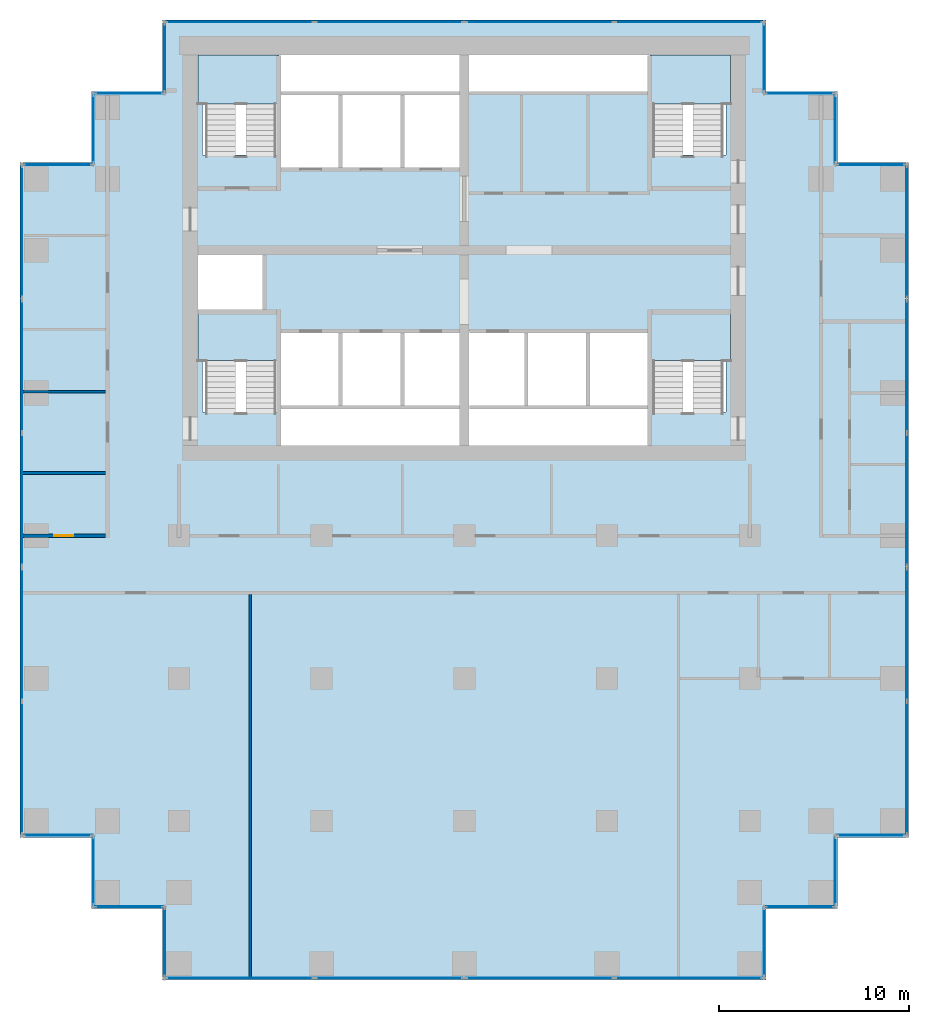
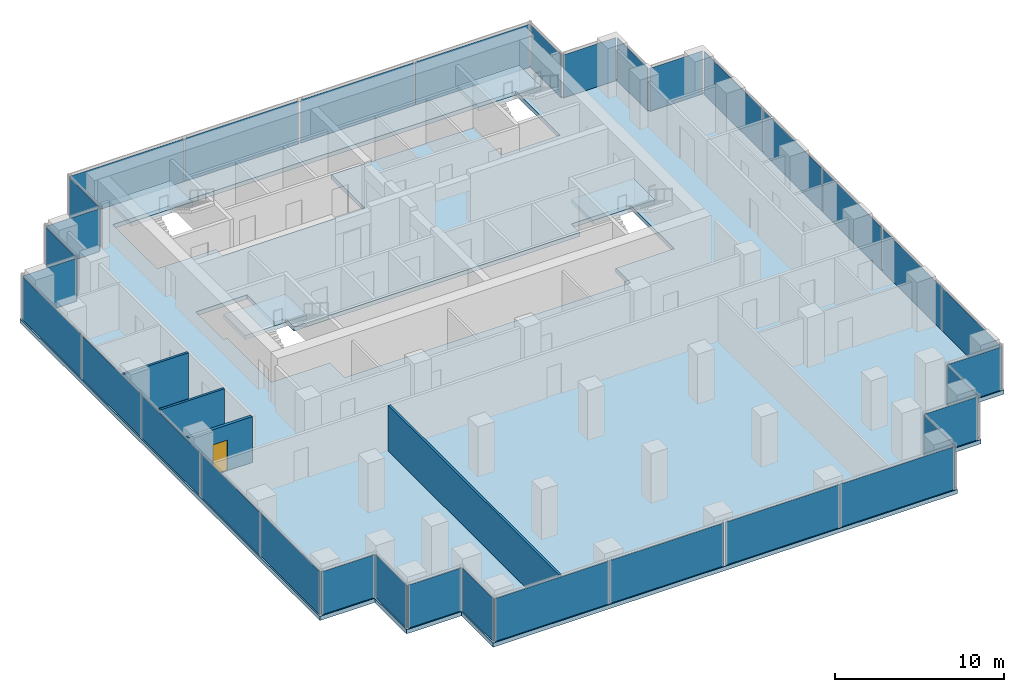
# One storey, part 6 of 10: 34 plates, 5 slabs, 4 walls, 1 door, 1 opening, 30 elements without a shape of their own.
"""IFC4 building model written with IfcOpenShell, lengths in metres."""

from ifc_helpers import new_model, si_unit, direction, frame, frame_2d, origin, origin_2d, place, context, subcontext, project, spatial, polyline, rectangle, outline, extrude, material, layer, layer_set, type_object, element, fill, aggregate, save


model = new_model("IFC4")

# Units and contexts
model_context = context("Model", 3, precision=1e-05, world=origin(), true_north=direction((0.0, 1.0)))
body_context = subcontext(model_context, "Body", "Model", "MODEL_VIEW")
ifc_project = project(units=[si_unit("LENGTHUNIT", "METRE"), si_unit("AREAUNIT", "SQUARE_METRE"), si_unit("VOLUMEUNIT", "CUBIC_METRE"), si_unit("PLANEANGLEUNIT", "RADIAN"), si_unit("MASSUNIT", "GRAM", prefix="KILO")], contexts=[model_context])

# Site, building, storey
site_placement = place(None, origin())
site = spatial("IfcSite", under=ifc_project, at=site_placement, CompositionType="ELEMENT")
building_placement = place(site_placement, origin())
building = spatial("IfcBuilding", under=site, at=building_placement, Name="Pilkhan Gate Tower", CompositionType="ELEMENT")
storey_placement = place(building_placement, frame((0.0, 0.0, 118.0)))
storey = spatial("IfcBuildingStorey", under=building, at=storey_placement, Name="L29", CompositionType="ELEMENT", Elevation=118.0)

# Slab
ifc_material_1 = material(Name="Concrete C40/50", Category="concrete")
ifc_layer_1 = layer(ifc_material_1, 0.300048828125)
ifc_layer_set_1 = layer_set([ifc_layer_1], Name="Flat plate slab FP300")
slab_type_1 = type_object("IfcSlabType", Name="Flat plate slab FP300", PredefinedType="FLOOR", material=ifc_layer_set_1)
slab_1_placement = place(storey_placement, frame((0.0, 0.0, -0.300048828125)))
element("IfcSlab", 1, at=slab_1_placement, inside=storey, type_object=slab_type_1, Name="Floor slab L29", PredefinedType="FLOOR", context=body_context, shape_type="SweptSolid", body=[
    extrude(outline(polyline([(94.60009765625, 47.89990234375), (90.85009765625, 47.89990234375), (90.85009765625, 44.14990234375), (59.14990234375, 44.14990234375), (59.14990234375, 47.89990234375), (55.39990234375, 47.89990234375), (55.39990234375, 51.64990234375), (51.64990234375, 51.64990234375), (51.64990234375, 87.10009765625), (55.39990234375, 87.10009765625), (55.39990234375, 90.85009765625), (59.14990234375, 90.85009765625), (59.14990234375, 94.60009765625), (90.85009765625, 94.60009765625), (90.85009765625, 90.85009765625), (94.60009765625, 90.85009765625), (94.60009765625, 87.10009765625), (98.35009765625, 87.10009765625), (98.35009765625, 51.64990234375), (94.60009765625, 51.64990234375), (94.60009765625, 47.89990234375)]), holes=[polyline([(65.25, 87.5), (65.25, 86.75), (68.5, 86.75), (71.75, 86.75), (75.0, 86.75), (75.0, 90.75), (84.75, 90.75), (84.75, 87.5), (88.75, 87.5), (88.75, 92.75), (84.75, 92.75), (75.0, 92.75), (65.25, 92.75), (61.25, 92.75), (61.25, 87.5), (65.25, 87.5)]), polyline([(75.0, 72.25), (84.75, 72.25), (84.75, 74.0), (88.75, 74.0), (88.75, 79.25), (84.75, 79.25), (84.75, 78.25), (81.5, 78.25), (78.25, 78.25), (75.0, 78.25), (71.75, 78.25), (68.5, 78.25), (65.25, 78.25), (65.25, 79.25), (64.5, 79.25), (64.5, 82.5), (61.25, 82.5), (61.0, 82.5), (61.0, 79.25), (61.25, 79.25), (61.25, 74.0), (65.25, 74.0), (65.25, 72.25), (75.0, 72.25)])]), origin(), (0.0, 0.0, 1.0), 0.300048828125),
])

# Curtain wall, plates
ifc_material_2 = material(Name="Pale anodised aluminium, clear low-iron double glazing", Category="aluminium")
curtain_wall_type = type_object("IfcCurtainWallType", Name="Office unitised curtain wall CW-O1", PredefinedType="USERDEFINED", material=ifc_material_2)
curtain_wall_1_placement = place(storey_placement, origin())
curtain_wall_1 = element("IfcCurtainWall", 2, at=curtain_wall_1_placement, inside=storey, type_object=curtain_wall_type, Name="Office unitised curtain wall CW-O1 L29 E", ObjectType="UNITISED CURTAIN WALL", PredefinedType="USERDEFINED")
ifc_material_3 = material(Name="Clear low-iron double glazing", Category="glass")
ifc_layer_2 = layer(ifc_material_3, 0.0400390625)
ifc_layer_set_2 = layer_set([ifc_layer_2], Name="Glass panel CW-O1 40")
plate_type = type_object("IfcPlateType", Name="Glass panel CW-O1 40", PredefinedType="CURTAIN_PANEL", material=ifc_layer_set_2)
plate_1_placement = place(storey_placement, frame((98.25, 55.29248046875, 0.0), z_axis=(0.0, 0.0, 1.0), x_axis=(0.0, 1.0, 0.0)))
plate_1 = element("IfcPlate", 3, at=plate_1_placement, type_object=plate_type, Name="CW-O1 panel 1", PredefinedType="CURTAIN_PANEL", context=body_context, shape_type="SweptSolid", body=[
    extrude(rectangle(XDim=6.945068359375, YDim=0.0400390625, at=origin_2d()), origin(), (0.0, 0.0, 1.0), 3.10009765625),
])
plate_2_placement = place(storey_placement, frame((98.25, 62.3076171875, 0.0), z_axis=(0.0, 0.0, 1.0), x_axis=(0.0, 1.0, 0.0)))
plate_2 = element("IfcPlate", 4, at=plate_2_placement, type_object=plate_type, Name="CW-O1 panel 2", PredefinedType="CURTAIN_PANEL", context=body_context, shape_type="SweptSolid", body=[
    extrude(rectangle(XDim=6.945068359375, YDim=0.0400390625, at=origin_2d()), origin(), (0.0, 0.0, 1.0), 3.10009765625),
])
aggregate(curtain_wall_1, [plate_1, plate_2])

curtain_wall_2_placement = place(storey_placement, origin())
curtain_wall_2 = element("IfcCurtainWall", 5, at=curtain_wall_2_placement, inside=storey, type_object=curtain_wall_type, Name="Office unitised curtain wall CW-O1 L29 E", ObjectType="UNITISED CURTAIN WALL", PredefinedType="USERDEFINED")
plate_3_placement = place(storey_placement, frame((98.25, 69.392578125, 0.0), z_axis=(0.0, 0.0, 1.0), x_axis=(0.0, 1.0, 0.0)))
plate_3 = element("IfcPlate", 6, at=plate_3_placement, type_object=plate_type, Name="CW-O1 panel 1", PredefinedType="CURTAIN_PANEL", context=body_context, shape_type="SweptSolid", body=[
    extrude(rectangle(XDim=6.945068359375, YDim=0.0400390625, at=origin_2d()), origin(), (0.0, 0.0, 1.0), 3.10009765625),
])
plate_4_placement = place(storey_placement, frame((98.25, 76.407470703125, 0.0), z_axis=(0.0, 0.0, 1.0), x_axis=(0.0, 1.0, 0.0)))
plate_4 = element("IfcPlate", 7, at=plate_4_placement, type_object=plate_type, Name="CW-O1 panel 2", PredefinedType="CURTAIN_PANEL", context=body_context, shape_type="SweptSolid", body=[
    extrude(rectangle(XDim=6.945068359375, YDim=0.0400390625, at=origin_2d()), origin(), (0.0, 0.0, 1.0), 3.10009765625),
])
aggregate(curtain_wall_2, [plate_3, plate_4])

# Curtain wall, plate
curtain_wall_3_placement = place(storey_placement, origin())
curtain_wall_3 = element("IfcCurtainWall", 8, at=curtain_wall_3_placement, inside=storey, type_object=curtain_wall_type, Name="Office unitised curtain wall CW-O1 L29 E", ObjectType="UNITISED CURTAIN WALL", PredefinedType="USERDEFINED")
plate_5_placement = place(storey_placement, frame((98.25, 83.47509765625, 0.0), z_axis=(0.0, 0.0, 1.0), x_axis=(0.0, 1.0, 0.0)))
plate_5 = element("IfcPlate", 9, at=plate_5_placement, type_object=plate_type, Name="CW-O1 panel 1", PredefinedType="CURTAIN_PANEL", context=body_context, shape_type="SweptSolid", body=[
    extrude(rectangle(XDim=6.909912109375, YDim=0.0400390625, at=origin_2d()), origin(), (0.0, 0.0, 1.0), 3.10009765625),
])
aggregate(curtain_wall_3, [plate_5])

curtain_wall_4_placement = place(storey_placement, origin())
curtain_wall_4 = element("IfcCurtainWall", 10, at=curtain_wall_4_placement, inside=storey, type_object=curtain_wall_type, Name="Office unitised curtain wall CW-O1 L29 N", ObjectType="UNITISED CURTAIN WALL", PredefinedType="USERDEFINED")
plate_6_placement = place(storey_placement, frame((96.375, 87.0, 0.0), z_axis=(0.0, 0.0, 1.0), x_axis=(1.0, 0.0, 0.0)))
plate_6 = element("IfcPlate", 11, at=plate_6_placement, type_object=plate_type, Name="CW-O1 panel 1", PredefinedType="CURTAIN_PANEL", context=body_context, shape_type="SweptSolid", body=[
    extrude(rectangle(XDim=3.610107421875, YDim=0.0400390625, at=origin_2d()), origin(), (0.0, 0.0, 1.0), 3.10009765625),
])
aggregate(curtain_wall_4, [plate_6])

curtain_wall_5_placement = place(storey_placement, origin())
curtain_wall_5 = element("IfcCurtainWall", 12, at=curtain_wall_5_placement, inside=storey, type_object=curtain_wall_type, Name="Office unitised curtain wall CW-O1 L29 E", ObjectType="UNITISED CURTAIN WALL", PredefinedType="USERDEFINED")
plate_7_placement = place(storey_placement, frame((94.5, 88.875, 0.0), z_axis=(0.0, 0.0, 1.0), x_axis=(0.0, 1.0, 0.0)))
plate_7 = element("IfcPlate", 13, at=plate_7_placement, type_object=plate_type, Name="CW-O1 panel 1", PredefinedType="CURTAIN_PANEL", context=body_context, shape_type="SweptSolid", body=[
    extrude(rectangle(XDim=3.610107421875, YDim=0.0400390625, at=origin_2d()), origin(), (0.0, 0.0, 1.0), 3.10009765625),
])
aggregate(curtain_wall_5, [plate_7])

curtain_wall_6_placement = place(storey_placement, origin())
curtain_wall_6 = element("IfcCurtainWall", 14, at=curtain_wall_6_placement, inside=storey, type_object=curtain_wall_type, Name="Office unitised curtain wall CW-O1 L29 N", ObjectType="UNITISED CURTAIN WALL", PredefinedType="USERDEFINED")
plate_8_placement = place(storey_placement, frame((92.625, 90.75, 0.0), z_axis=(0.0, 0.0, 1.0), x_axis=(1.0, 0.0, 0.0)))
plate_8 = element("IfcPlate", 15, at=plate_8_placement, type_object=plate_type, Name="CW-O1 panel 1", PredefinedType="CURTAIN_PANEL", context=body_context, shape_type="SweptSolid", body=[
    extrude(rectangle(XDim=3.610107421875, YDim=0.0400390625, at=origin_2d()), origin(), (0.0, 0.0, 1.0), 3.10009765625),
])
aggregate(curtain_wall_6, [plate_8])

curtain_wall_7_placement = place(storey_placement, origin())
curtain_wall_7 = element("IfcCurtainWall", 16, at=curtain_wall_7_placement, inside=storey, type_object=curtain_wall_type, Name="Office unitised curtain wall CW-O1 L29 E", ObjectType="UNITISED CURTAIN WALL", PredefinedType="USERDEFINED")
plate_9_placement = place(storey_placement, frame((90.75, 92.625, 0.0), z_axis=(0.0, 0.0, 1.0), x_axis=(0.0, 1.0, 0.0)))
plate_9 = element("IfcPlate", 17, at=plate_9_placement, type_object=plate_type, Name="CW-O1 panel 1", PredefinedType="CURTAIN_PANEL", context=body_context, shape_type="SweptSolid", body=[
    extrude(rectangle(XDim=3.610107421875, YDim=0.0400390625, at=origin_2d()), origin(), (0.0, 0.0, 1.0), 3.10009765625),
])
aggregate(curtain_wall_7, [plate_9])

# Curtain wall, plates
curtain_wall_8_placement = place(storey_placement, origin())
curtain_wall_8 = element("IfcCurtainWall", 18, at=curtain_wall_8_placement, inside=storey, type_object=curtain_wall_type, Name="Office unitised curtain wall CW-O1 L29 N", ObjectType="UNITISED CURTAIN WALL", PredefinedType="USERDEFINED")
plate_10_placement = place(storey_placement, frame((63.205078125, 94.5, 0.0), z_axis=(0.0, 0.0, 1.0), x_axis=(1.0, 0.0, 0.0)))
plate_10 = element("IfcPlate", 19, at=plate_10_placement, type_object=plate_type, Name="CW-O1 panel 1", PredefinedType="CURTAIN_PANEL", context=body_context, shape_type="SweptSolid", body=[
    extrude(rectangle(XDim=7.77001953125, YDim=0.0400390625, at=origin_2d()), origin(), (0.0, 0.0, 1.0), 3.10009765625),
])
plate_11_placement = place(storey_placement, frame((71.044921875, 94.5, 0.0), z_axis=(0.0, 0.0, 1.0), x_axis=(1.0, 0.0, 0.0)))
plate_11 = element("IfcPlate", 20, at=plate_11_placement, type_object=plate_type, Name="CW-O1 panel 2", PredefinedType="CURTAIN_PANEL", context=body_context, shape_type="SweptSolid", body=[
    extrude(rectangle(XDim=7.77001953125, YDim=0.0400390625, at=origin_2d()), origin(), (0.0, 0.0, 1.0), 3.10009765625),
])
aggregate(curtain_wall_8, [plate_10, plate_11])

curtain_wall_9_placement = place(storey_placement, origin())
curtain_wall_9 = element("IfcCurtainWall", 21, at=curtain_wall_9_placement, inside=storey, type_object=curtain_wall_type, Name="Office unitised curtain wall CW-O1 L29 N", ObjectType="UNITISED CURTAIN WALL", PredefinedType="USERDEFINED")
plate_12_placement = place(storey_placement, frame((78.955078125, 94.5, 0.0), z_axis=(0.0, 0.0, 1.0), x_axis=(1.0, 0.0, 0.0)))
plate_12 = element("IfcPlate", 22, at=plate_12_placement, type_object=plate_type, Name="CW-O1 panel 1", PredefinedType="CURTAIN_PANEL", context=body_context, shape_type="SweptSolid", body=[
    extrude(rectangle(XDim=7.77001953125, YDim=0.0400390625, at=origin_2d()), origin(), (0.0, 0.0, 1.0), 3.10009765625),
])
plate_13_placement = place(storey_placement, frame((86.794921875, 94.5, 0.0), z_axis=(0.0, 0.0, 1.0), x_axis=(1.0, 0.0, 0.0)))
plate_13 = element("IfcPlate", 23, at=plate_13_placement, type_object=plate_type, Name="CW-O1 panel 2", PredefinedType="CURTAIN_PANEL", context=body_context, shape_type="SweptSolid", body=[
    extrude(rectangle(XDim=7.77001953125, YDim=0.0400390625, at=origin_2d()), origin(), (0.0, 0.0, 1.0), 3.10009765625),
])
aggregate(curtain_wall_9, [plate_12, plate_13])

# Curtain wall, plate
curtain_wall_10_placement = place(storey_placement, origin())
curtain_wall_10 = element("IfcCurtainWall", 24, at=curtain_wall_10_placement, inside=storey, type_object=curtain_wall_type, Name="Office unitised curtain wall CW-O1 L29 W", ObjectType="UNITISED CURTAIN WALL", PredefinedType="USERDEFINED")
plate_14_placement = place(storey_placement, frame((59.25, 92.625, 0.0), z_axis=(0.0, 0.0, 1.0), x_axis=(0.0, 1.0, 0.0)))
plate_14 = element("IfcPlate", 25, at=plate_14_placement, type_object=plate_type, Name="CW-O1 panel 1", PredefinedType="CURTAIN_PANEL", context=body_context, shape_type="SweptSolid", body=[
    extrude(rectangle(XDim=3.610107421875, YDim=0.0400390625, at=origin_2d()), origin(), (0.0, 0.0, 1.0), 3.10009765625),
])
aggregate(curtain_wall_10, [plate_14])

curtain_wall_11_placement = place(storey_placement, origin())
curtain_wall_11 = element("IfcCurtainWall", 26, at=curtain_wall_11_placement, inside=storey, type_object=curtain_wall_type, Name="Office unitised curtain wall CW-O1 L29 N", ObjectType="UNITISED CURTAIN WALL", PredefinedType="USERDEFINED")
plate_15_placement = place(storey_placement, frame((57.375, 90.75, 0.0), z_axis=(0.0, 0.0, 1.0), x_axis=(1.0, 0.0, 0.0)))
plate_15 = element("IfcPlate", 27, at=plate_15_placement, type_object=plate_type, Name="CW-O1 panel 1", PredefinedType="CURTAIN_PANEL", context=body_context, shape_type="SweptSolid", body=[
    extrude(rectangle(XDim=3.610107421875, YDim=0.0400390625, at=origin_2d()), origin(), (0.0, 0.0, 1.0), 3.10009765625),
])
aggregate(curtain_wall_11, [plate_15])

curtain_wall_12_placement = place(storey_placement, origin())
curtain_wall_12 = element("IfcCurtainWall", 28, at=curtain_wall_12_placement, inside=storey, type_object=curtain_wall_type, Name="Office unitised curtain wall CW-O1 L29 W", ObjectType="UNITISED CURTAIN WALL", PredefinedType="USERDEFINED")
plate_16_placement = place(storey_placement, frame((55.5, 88.875, 0.0), z_axis=(0.0, 0.0, 1.0), x_axis=(0.0, 1.0, 0.0)))
plate_16 = element("IfcPlate", 29, at=plate_16_placement, type_object=plate_type, Name="CW-O1 panel 1", PredefinedType="CURTAIN_PANEL", context=body_context, shape_type="SweptSolid", body=[
    extrude(rectangle(XDim=3.610107421875, YDim=0.0400390625, at=origin_2d()), origin(), (0.0, 0.0, 1.0), 3.10009765625),
])
aggregate(curtain_wall_12, [plate_16])

curtain_wall_13_placement = place(storey_placement, origin())
curtain_wall_13 = element("IfcCurtainWall", 30, at=curtain_wall_13_placement, inside=storey, type_object=curtain_wall_type, Name="Office unitised curtain wall CW-O1 L29 N", ObjectType="UNITISED CURTAIN WALL", PredefinedType="USERDEFINED")
plate_17_placement = place(storey_placement, frame((53.625, 87.0, 0.0), z_axis=(0.0, 0.0, 1.0), x_axis=(1.0, 0.0, 0.0)))
plate_17 = element("IfcPlate", 31, at=plate_17_placement, type_object=plate_type, Name="CW-O1 panel 1", PredefinedType="CURTAIN_PANEL", context=body_context, shape_type="SweptSolid", body=[
    extrude(rectangle(XDim=3.610107421875, YDim=0.0400390625, at=origin_2d()), origin(), (0.0, 0.0, 1.0), 3.10009765625),
])
aggregate(curtain_wall_13, [plate_17])

# Curtain wall, plates
curtain_wall_14_placement = place(storey_placement, origin())
curtain_wall_14 = element("IfcCurtainWall", 32, at=curtain_wall_14_placement, inside=storey, type_object=curtain_wall_type, Name="Office unitised curtain wall CW-O1 L29 W", ObjectType="UNITISED CURTAIN WALL", PredefinedType="USERDEFINED")
plate_18_placement = place(storey_placement, frame((51.75, 55.29248046875, 0.0), z_axis=(0.0, 0.0, 1.0), x_axis=(0.0, 1.0, 0.0)))
plate_18 = element("IfcPlate", 33, at=plate_18_placement, type_object=plate_type, Name="CW-O1 panel 1", PredefinedType="CURTAIN_PANEL", context=body_context, shape_type="SweptSolid", body=[
    extrude(rectangle(XDim=6.945068359375, YDim=0.0400390625, at=origin_2d()), origin(), (0.0, 0.0, 1.0), 3.10009765625),
])
plate_19_placement = place(storey_placement, frame((51.75, 62.3076171875, 0.0), z_axis=(0.0, 0.0, 1.0), x_axis=(0.0, 1.0, 0.0)))
plate_19 = element("IfcPlate", 34, at=plate_19_placement, type_object=plate_type, Name="CW-O1 panel 2", PredefinedType="CURTAIN_PANEL", context=body_context, shape_type="SweptSolid", body=[
    extrude(rectangle(XDim=6.945068359375, YDim=0.0400390625, at=origin_2d()), origin(), (0.0, 0.0, 1.0), 3.10009765625),
])
aggregate(curtain_wall_14, [plate_18, plate_19])

curtain_wall_15_placement = place(storey_placement, origin())
curtain_wall_15 = element("IfcCurtainWall", 35, at=curtain_wall_15_placement, inside=storey, type_object=curtain_wall_type, Name="Office unitised curtain wall CW-O1 L29 W", ObjectType="UNITISED CURTAIN WALL", PredefinedType="USERDEFINED")
plate_20_placement = place(storey_placement, frame((51.75, 69.392578125, 0.0), z_axis=(0.0, 0.0, 1.0), x_axis=(0.0, 1.0, 0.0)))
plate_20 = element("IfcPlate", 36, at=plate_20_placement, type_object=plate_type, Name="CW-O1 panel 1", PredefinedType="CURTAIN_PANEL", context=body_context, shape_type="SweptSolid", body=[
    extrude(rectangle(XDim=6.945068359375, YDim=0.0400390625, at=origin_2d()), origin(), (0.0, 0.0, 1.0), 3.10009765625),
])
plate_21_placement = place(storey_placement, frame((51.75, 76.407470703125, 0.0), z_axis=(0.0, 0.0, 1.0), x_axis=(0.0, 1.0, 0.0)))
plate_21 = element("IfcPlate", 37, at=plate_21_placement, type_object=plate_type, Name="CW-O1 panel 2", PredefinedType="CURTAIN_PANEL", context=body_context, shape_type="SweptSolid", body=[
    extrude(rectangle(XDim=6.945068359375, YDim=0.0400390625, at=origin_2d()), origin(), (0.0, 0.0, 1.0), 3.10009765625),
])
aggregate(curtain_wall_15, [plate_20, plate_21])

# Curtain wall, plate
curtain_wall_16_placement = place(storey_placement, origin())
curtain_wall_16 = element("IfcCurtainWall", 38, at=curtain_wall_16_placement, inside=storey, type_object=curtain_wall_type, Name="Office unitised curtain wall CW-O1 L29 W", ObjectType="UNITISED CURTAIN WALL", PredefinedType="USERDEFINED")
plate_22_placement = place(storey_placement, frame((51.75, 83.47509765625, 0.0), z_axis=(0.0, 0.0, 1.0), x_axis=(0.0, 1.0, 0.0)))
plate_22 = element("IfcPlate", 39, at=plate_22_placement, type_object=plate_type, Name="CW-O1 panel 1", PredefinedType="CURTAIN_PANEL", context=body_context, shape_type="SweptSolid", body=[
    extrude(rectangle(XDim=6.909912109375, YDim=0.0400390625, at=origin_2d()), origin(), (0.0, 0.0, 1.0), 3.10009765625),
])
aggregate(curtain_wall_16, [plate_22])

curtain_wall_17_placement = place(storey_placement, origin())
curtain_wall_17 = element("IfcCurtainWall", 40, at=curtain_wall_17_placement, inside=storey, type_object=curtain_wall_type, Name="Office unitised curtain wall CW-O1 L29 S", ObjectType="UNITISED CURTAIN WALL", PredefinedType="USERDEFINED")
plate_23_placement = place(storey_placement, frame((53.625, 51.75, 0.0), z_axis=(0.0, 0.0, 1.0), x_axis=(1.0, 0.0, 0.0)))
plate_23 = element("IfcPlate", 41, at=plate_23_placement, type_object=plate_type, Name="CW-O1 panel 1", PredefinedType="CURTAIN_PANEL", context=body_context, shape_type="SweptSolid", body=[
    extrude(rectangle(XDim=3.610107421875, YDim=0.0400390625, at=origin_2d()), origin(), (0.0, 0.0, 1.0), 3.10009765625),
])
aggregate(curtain_wall_17, [plate_23])

curtain_wall_18_placement = place(storey_placement, origin())
curtain_wall_18 = element("IfcCurtainWall", 42, at=curtain_wall_18_placement, inside=storey, type_object=curtain_wall_type, Name="Office unitised curtain wall CW-O1 L29 W", ObjectType="UNITISED CURTAIN WALL", PredefinedType="USERDEFINED")
plate_24_placement = place(storey_placement, frame((55.5, 49.875, 0.0), z_axis=(0.0, 0.0, 1.0), x_axis=(0.0, 1.0, 0.0)))
plate_24 = element("IfcPlate", 43, at=plate_24_placement, type_object=plate_type, Name="CW-O1 panel 1", PredefinedType="CURTAIN_PANEL", context=body_context, shape_type="SweptSolid", body=[
    extrude(rectangle(XDim=3.610107421875, YDim=0.0400390625, at=origin_2d()), origin(), (0.0, 0.0, 1.0), 3.10009765625),
])
aggregate(curtain_wall_18, [plate_24])

curtain_wall_19_placement = place(storey_placement, origin())
curtain_wall_19 = element("IfcCurtainWall", 44, at=curtain_wall_19_placement, inside=storey, type_object=curtain_wall_type, Name="Office unitised curtain wall CW-O1 L29 S", ObjectType="UNITISED CURTAIN WALL", PredefinedType="USERDEFINED")
plate_25_placement = place(storey_placement, frame((57.375, 48.0, 0.0), z_axis=(0.0, 0.0, 1.0), x_axis=(1.0, 0.0, 0.0)))
plate_25 = element("IfcPlate", 45, at=plate_25_placement, type_object=plate_type, Name="CW-O1 panel 1", PredefinedType="CURTAIN_PANEL", context=body_context, shape_type="SweptSolid", body=[
    extrude(rectangle(XDim=3.610107421875, YDim=0.0400390625, at=origin_2d()), origin(), (0.0, 0.0, 1.0), 3.10009765625),
])
aggregate(curtain_wall_19, [plate_25])

curtain_wall_20_placement = place(storey_placement, origin())
curtain_wall_20 = element("IfcCurtainWall", 46, at=curtain_wall_20_placement, inside=storey, type_object=curtain_wall_type, Name="Office unitised curtain wall CW-O1 L29 W", ObjectType="UNITISED CURTAIN WALL", PredefinedType="USERDEFINED")
plate_26_placement = place(storey_placement, frame((59.25, 46.125, 0.0), z_axis=(0.0, 0.0, 1.0), x_axis=(0.0, 1.0, 0.0)))
plate_26 = element("IfcPlate", 47, at=plate_26_placement, type_object=plate_type, Name="CW-O1 panel 1", PredefinedType="CURTAIN_PANEL", context=body_context, shape_type="SweptSolid", body=[
    extrude(rectangle(XDim=3.610107421875, YDim=0.0400390625, at=origin_2d()), origin(), (0.0, 0.0, 1.0), 3.10009765625),
])
aggregate(curtain_wall_20, [plate_26])

# Curtain wall, plates
curtain_wall_21_placement = place(storey_placement, origin())
curtain_wall_21 = element("IfcCurtainWall", 48, at=curtain_wall_21_placement, inside=storey, type_object=curtain_wall_type, Name="Office unitised curtain wall CW-O1 L29 S", ObjectType="UNITISED CURTAIN WALL", PredefinedType="USERDEFINED")
plate_27_placement = place(storey_placement, frame((63.205078125, 44.25, 0.0), z_axis=(0.0, 0.0, 1.0), x_axis=(1.0, 0.0, 0.0)))
plate_27 = element("IfcPlate", 49, at=plate_27_placement, type_object=plate_type, Name="CW-O1 panel 1", PredefinedType="CURTAIN_PANEL", context=body_context, shape_type="SweptSolid", body=[
    extrude(rectangle(XDim=7.77001953125, YDim=0.0400390625, at=origin_2d()), origin(), (0.0, 0.0, 1.0), 3.10009765625),
])
plate_28_placement = place(storey_placement, frame((71.044921875, 44.25, 0.0), z_axis=(0.0, 0.0, 1.0), x_axis=(1.0, 0.0, 0.0)))
plate_28 = element("IfcPlate", 50, at=plate_28_placement, type_object=plate_type, Name="CW-O1 panel 2", PredefinedType="CURTAIN_PANEL", context=body_context, shape_type="SweptSolid", body=[
    extrude(rectangle(XDim=7.77001953125, YDim=0.0400390625, at=origin_2d()), origin(), (0.0, 0.0, 1.0), 3.10009765625),
])
aggregate(curtain_wall_21, [plate_27, plate_28])

curtain_wall_22_placement = place(storey_placement, origin())
curtain_wall_22 = element("IfcCurtainWall", 51, at=curtain_wall_22_placement, inside=storey, type_object=curtain_wall_type, Name="Office unitised curtain wall CW-O1 L29 S", ObjectType="UNITISED CURTAIN WALL", PredefinedType="USERDEFINED")
plate_29_placement = place(storey_placement, frame((78.955078125, 44.25, 0.0), z_axis=(0.0, 0.0, 1.0), x_axis=(1.0, 0.0, 0.0)))
plate_29 = element("IfcPlate", 52, at=plate_29_placement, type_object=plate_type, Name="CW-O1 panel 1", PredefinedType="CURTAIN_PANEL", context=body_context, shape_type="SweptSolid", body=[
    extrude(rectangle(XDim=7.77001953125, YDim=0.0400390625, at=origin_2d()), origin(), (0.0, 0.0, 1.0), 3.10009765625),
])
plate_30_placement = place(storey_placement, frame((86.794921875, 44.25, 0.0), z_axis=(0.0, 0.0, 1.0), x_axis=(1.0, 0.0, 0.0)))
plate_30 = element("IfcPlate", 53, at=plate_30_placement, type_object=plate_type, Name="CW-O1 panel 2", PredefinedType="CURTAIN_PANEL", context=body_context, shape_type="SweptSolid", body=[
    extrude(rectangle(XDim=7.77001953125, YDim=0.0400390625, at=origin_2d()), origin(), (0.0, 0.0, 1.0), 3.10009765625),
])
aggregate(curtain_wall_22, [plate_29, plate_30])

# Curtain wall, plate
curtain_wall_23_placement = place(storey_placement, origin())
curtain_wall_23 = element("IfcCurtainWall", 54, at=curtain_wall_23_placement, inside=storey, type_object=curtain_wall_type, Name="Office unitised curtain wall CW-O1 L29 E", ObjectType="UNITISED CURTAIN WALL", PredefinedType="USERDEFINED")
plate_31_placement = place(storey_placement, frame((90.75, 46.125, 0.0), z_axis=(0.0, 0.0, 1.0), x_axis=(0.0, 1.0, 0.0)))
plate_31 = element("IfcPlate", 55, at=plate_31_placement, type_object=plate_type, Name="CW-O1 panel 1", PredefinedType="CURTAIN_PANEL", context=body_context, shape_type="SweptSolid", body=[
    extrude(rectangle(XDim=3.610107421875, YDim=0.0400390625, at=origin_2d()), origin(), (0.0, 0.0, 1.0), 3.10009765625),
])
aggregate(curtain_wall_23, [plate_31])

curtain_wall_24_placement = place(storey_placement, origin())
curtain_wall_24 = element("IfcCurtainWall", 56, at=curtain_wall_24_placement, inside=storey, type_object=curtain_wall_type, Name="Office unitised curtain wall CW-O1 L29 S", ObjectType="UNITISED CURTAIN WALL", PredefinedType="USERDEFINED")
plate_32_placement = place(storey_placement, frame((92.625, 48.0, 0.0), z_axis=(0.0, 0.0, 1.0), x_axis=(1.0, 0.0, 0.0)))
plate_32 = element("IfcPlate", 57, at=plate_32_placement, type_object=plate_type, Name="CW-O1 panel 1", PredefinedType="CURTAIN_PANEL", context=body_context, shape_type="SweptSolid", body=[
    extrude(rectangle(XDim=3.610107421875, YDim=0.0400390625, at=origin_2d()), origin(), (0.0, 0.0, 1.0), 3.10009765625),
])
aggregate(curtain_wall_24, [plate_32])

curtain_wall_25_placement = place(storey_placement, origin())
curtain_wall_25 = element("IfcCurtainWall", 58, at=curtain_wall_25_placement, inside=storey, type_object=curtain_wall_type, Name="Office unitised curtain wall CW-O1 L29 E", ObjectType="UNITISED CURTAIN WALL", PredefinedType="USERDEFINED")
plate_33_placement = place(storey_placement, frame((94.5, 49.875, 0.0), z_axis=(0.0, 0.0, 1.0), x_axis=(0.0, 1.0, 0.0)))
plate_33 = element("IfcPlate", 59, at=plate_33_placement, type_object=plate_type, Name="CW-O1 panel 1", PredefinedType="CURTAIN_PANEL", context=body_context, shape_type="SweptSolid", body=[
    extrude(rectangle(XDim=3.610107421875, YDim=0.0400390625, at=origin_2d()), origin(), (0.0, 0.0, 1.0), 3.10009765625),
])
aggregate(curtain_wall_25, [plate_33])

curtain_wall_26_placement = place(storey_placement, origin())
curtain_wall_26 = element("IfcCurtainWall", 60, at=curtain_wall_26_placement, inside=storey, type_object=curtain_wall_type, Name="Office unitised curtain wall CW-O1 L29 S", ObjectType="UNITISED CURTAIN WALL", PredefinedType="USERDEFINED")
plate_34_placement = place(storey_placement, frame((96.375, 51.75, 0.0), z_axis=(0.0, 0.0, 1.0), x_axis=(1.0, 0.0, 0.0)))
plate_34 = element("IfcPlate", 61, at=plate_34_placement, type_object=plate_type, Name="CW-O1 panel 1", PredefinedType="CURTAIN_PANEL", context=body_context, shape_type="SweptSolid", body=[
    extrude(rectangle(XDim=3.610107421875, YDim=0.0400390625, at=origin_2d()), origin(), (0.0, 0.0, 1.0), 3.10009765625),
])
aggregate(curtain_wall_26, [plate_34])

# Stair, slab
ifc_material_4 = material(Name="Concrete C40/50 precast", Category="concrete")
stair_type_1 = type_object("IfcStairType", Name="Stair ST1 164x280", PredefinedType="HALF_TURN_STAIR", material=ifc_material_4)
stair_1_placement = place(storey_placement, origin())
stair_1 = element("IfcStair", 62, at=stair_1_placement, inside=storey, type_object=stair_type_1, Name="Stair ST1 L29", PredefinedType="HALF_TURN_STAIR")
ifc_layer_3 = layer(ifc_material_1, 0.199951171875)
ifc_layer_set_3 = layer_set([ifc_layer_3], Name="Stair landing SL200")
slab_type_2 = type_object("IfcSlabType", Name="Stair landing SL200", PredefinedType="LANDING", material=ifc_layer_set_3)
slab_2_placement = place(storey_placement, frame((0.0, 0.0, 1.5)))
slab_2 = element("IfcSlab", 63, at=slab_2_placement, type_object=slab_type_2, Name="ST1 landing 1", PredefinedType="LANDING", context=body_context, shape_type="SweptSolid", body=[
    extrude(outline(polyline([(89.0, 76.699951171875), (89.0, 79.25), (84.75, 79.25), (84.75, 76.699951171875), (89.0, 76.699951171875)])), origin(), (0.0, 0.0, 1.0), 0.300048828125),
])
aggregate(stair_1, [slab_2])

stair_type_2 = type_object("IfcStairType", Name="Stair ST2 164x280", PredefinedType="HALF_TURN_STAIR", material=ifc_material_4)
stair_2_placement = place(storey_placement, origin())
stair_2 = element("IfcStair", 64, at=stair_2_placement, inside=storey, type_object=stair_type_2, Name="Stair ST2 L29", PredefinedType="HALF_TURN_STAIR")
slab_3_placement = place(storey_placement, frame((0.0, 0.0, 1.5)))
slab_3 = element("IfcSlab", 65, at=slab_3_placement, type_object=slab_type_2, Name="ST2 landing 1", PredefinedType="LANDING", context=body_context, shape_type="SweptSolid", body=[
    extrude(outline(polyline([(65.25, 76.699951171875), (65.25, 79.25), (61.0, 79.25), (61.0, 76.699951171875), (65.25, 76.699951171875)])), origin(), (0.0, 0.0, 1.0), 0.300048828125),
])
aggregate(stair_2, [slab_3])

stair_type_3 = type_object("IfcStairType", Name="Stair ST3 164x280", PredefinedType="HALF_TURN_STAIR", material=ifc_material_4)
stair_3_placement = place(storey_placement, origin())
stair_3 = element("IfcStair", 66, at=stair_3_placement, inside=storey, type_object=stair_type_3, Name="Stair ST3 L29", PredefinedType="HALF_TURN_STAIR")
slab_4_placement = place(storey_placement, frame((0.0, 0.0, 1.5)))
slab_4 = element("IfcSlab", 67, at=slab_4_placement, type_object=slab_type_2, Name="ST3 landing 1", PredefinedType="LANDING", context=body_context, shape_type="SweptSolid", body=[
    extrude(outline(polyline([(65.25, 90.199951171875), (65.25, 92.75), (61.0, 92.75), (61.0, 90.199951171875), (65.25, 90.199951171875)])), origin(), (0.0, 0.0, 1.0), 0.300048828125),
])
aggregate(stair_3, [slab_4])

stair_type_4 = type_object("IfcStairType", Name="Stair ST4 164x280", PredefinedType="HALF_TURN_STAIR", material=ifc_material_4)
stair_4_placement = place(storey_placement, origin())
stair_4 = element("IfcStair", 68, at=stair_4_placement, inside=storey, type_object=stair_type_4, Name="Stair ST4 L29", PredefinedType="HALF_TURN_STAIR")
slab_5_placement = place(storey_placement, frame((0.0, 0.0, 1.5)))
slab_5 = element("IfcSlab", 69, at=slab_5_placement, type_object=slab_type_2, Name="ST4 landing 1", PredefinedType="LANDING", context=body_context, shape_type="SweptSolid", body=[
    extrude(outline(polyline([(89.0, 90.199951171875), (89.0, 92.75), (84.75, 92.75), (84.75, 90.199951171875), (89.0, 90.199951171875)])), origin(), (0.0, 0.0, 1.0), 0.300048828125),
])
aggregate(stair_4, [slab_5])

# Wall, opening, door
ifc_material_5 = material(Name="Dense blockwork", Category="masonry")
ifc_layer_4 = layer(ifc_material_5, 0.199951171875)
ifc_layer_set_4 = layer_set([ifc_layer_4], Name="Corridor wall FW200")
wall_type_1 = type_object("IfcWallType", Name="Corridor wall FW200", PredefinedType="PARTITIONING", material=ifc_layer_set_4)
wall_1_placement = place(storey_placement, frame((51.735107421875, 67.5, 0.0), z_axis=(0.0, 0.0, 1.0), x_axis=(1.0, 0.0, 0.0)))
wall_1 = element("IfcWall", 70, at=wall_1_placement, inside=storey, type_object=wall_type_1, Name="Partition L29", PredefinedType="PARTITIONING", context=body_context, shape_type="SweptSolid", body=[
    extrude(rectangle(XDim=4.414794921875, YDim=0.199951171875, at=frame_2d((2.20751953125, 0.0))), origin(), (0.0, 0.0, 1.0), 3.300048828125),
])
opening_placement = place(wall_1_placement, frame((1.699951171875, 0.0, 0.0)))
opening = element("IfcOpeningElement", 71, at=opening_placement, cuts=wall_1, Name="Opening L29-19", PredefinedType="OPENING", context=body_context, shape_type="SweptSolid", body=[
    extrude(rectangle(XDim=1.0, YDim=2.199951171875, at=frame_2d((0.5, 1.10009765625))), frame((0.0, 0.10986328125, 0.0), z_axis=(0.0, -1.0, 0.0), x_axis=(1.0, 0.0, 0.0)), (0.0, 0.0, 1.0), 0.219970703125),
])
ifc_material_6 = material(Name="Timber flush door, 30 minute fire resisting", Category="wood")
door_type = type_object("IfcDoorType", Name="Room door D03 1000x2200", OperationType="SINGLE_SWING_LEFT", PredefinedType="DOOR", material=ifc_material_6)
door_placement = place(opening_placement, origin())
door = element("IfcDoor", 72, at=door_placement, inside=storey, type_object=door_type, Name="Room door", OperationType="SINGLE_SWING_RIGHT", OverallHeight=2.199951171875, OverallWidth=1.0, PredefinedType="DOOR", context=body_context, shape_type="SweptSolid", body=[
    extrude(rectangle(XDim=1.0, YDim=2.199951171875, at=frame_2d((0.5, 1.10009765625))), frame((0.0, 0.02490234375, 0.0), z_axis=(0.0, -1.0, 0.0), x_axis=(1.0, 0.0, 0.0)), (0.0, 0.0, 1.0), 0.050048828125),
])
fill(opening, door)

# Walls
ifc_material_7 = material(Name="Blockwork partition, plastered both sides", Category="masonry")
ifc_layer_5 = layer(ifc_material_7, 0.14990234375)
ifc_layer_set_5 = layer_set([ifc_layer_5], Name="Partition PW150")
wall_type_2 = type_object("IfcWallType", Name="Partition PW150", PredefinedType="PARTITIONING", material=ifc_layer_set_5)
for number, where, z_axis, x_axis, name in (
    (73, (51.735107421875, 70.7880859375, 0.0), (0.0, 0.0, 1.0), (1.0, 0.0, 0.0), "Partition L29"),
    (74, (51.735107421875, 75.06103515625, 0.0), (0.0, 0.0, 1.0), (1.0, 0.0, 0.0), "Partition L29"),
):
    element("IfcWall", number, at=place(storey_placement, frame(where, z_axis=z_axis, x_axis=x_axis)), inside=storey, type_object=wall_type_2, Name=name, PredefinedType="PARTITIONING", context=body_context, shape_type="SweptSolid", body=[
        extrude(rectangle(XDim=4.414794921875, YDim=0.14990234375, at=frame_2d((2.20751953125, 0.0))), origin(), (0.0, 0.0, 1.0), 3.300048828125),
    ])
wall_2_placement = place(storey_placement, frame((63.75, 44.235107421875, 0.0), z_axis=(0.0, 0.0, 1.0), x_axis=(0.0, 1.0, 0.0)))
element("IfcWall", 75, at=wall_2_placement, inside=storey, type_object=wall_type_2, Name="Partition L29", PredefinedType="PARTITIONING", context=body_context, shape_type="SweptSolid", body=[
    extrude(rectangle(XDim=20.164794921875, YDim=0.14990234375, at=frame_2d((10.08251953125, 0.0))), origin(), (0.0, 0.0, 1.0), 3.300048828125),
])

save(model, "model.ifc")
